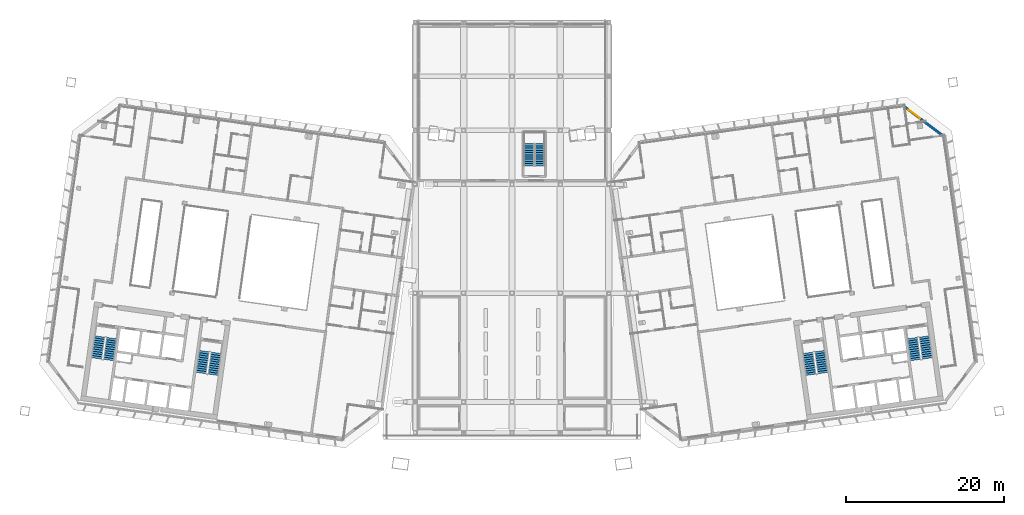
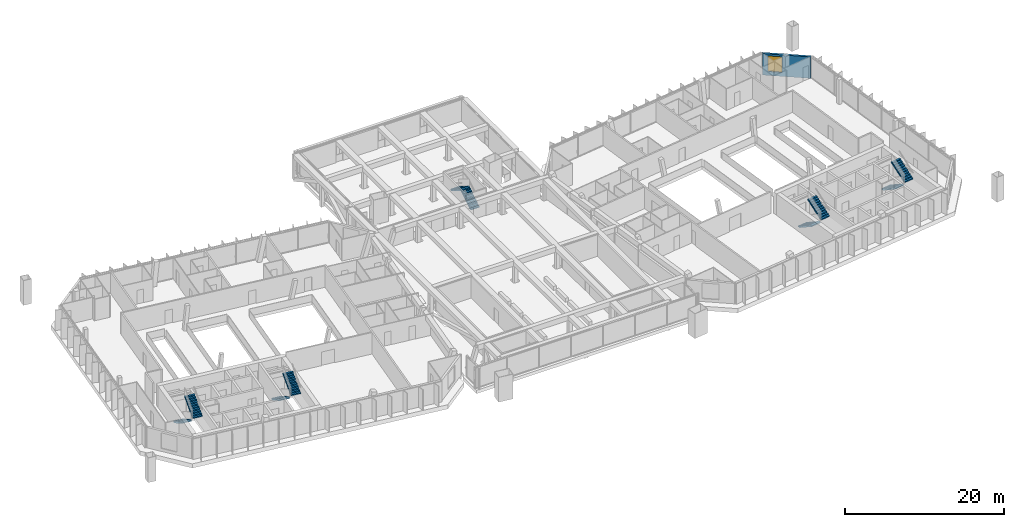
# One storey, part 21 of 25: 10 stair flights, 1 wall, 1 window, 1 opening, 5 elements without a shape of their own.
"""IFC4 building model written with IfcOpenShell, lengths in metres."""

from ifc_helpers import new_model, si_unit, direction, frame, frame_2d, origin, place, context, subcontext, project, spatial, polyline, rectangle, outline, extrude, material, layer, layer_set, type_object, element, fill, aggregate, save


model = new_model("IFC4")

# Units and contexts
model_context = context("Model", 3, precision=1e-05, world=origin(), true_north=direction((0.0, 1.0)))
body_context = subcontext(model_context, "Body", "Model", "MODEL_VIEW")
ifc_project = project(units=[si_unit("LENGTHUNIT", "METRE"), si_unit("AREAUNIT", "SQUARE_METRE"), si_unit("VOLUMEUNIT", "CUBIC_METRE"), si_unit("PLANEANGLEUNIT", "RADIAN"), si_unit("MASSUNIT", "GRAM", prefix="KILO")], contexts=[model_context])

# Site, building, storey
site_placement = place(None, origin())
site = spatial("IfcSite", under=ifc_project, at=site_placement, CompositionType="ELEMENT")
building_placement = place(site_placement, origin())
building = spatial("IfcBuilding", under=site, at=building_placement, Name="Mirante Cascada Hotel Towers", CompositionType="ELEMENT")
storey_placement = place(building_placement, frame((0.0, 0.0, 266.0)))
storey = spatial("IfcBuildingStorey", under=building, at=storey_placement, Name="L64", CompositionType="ELEMENT", Elevation=266.0)

# Wall, opening, window
ifc_material_1 = material(Name="Precast concrete C40/50", Category="concrete")
ifc_layer = layer(ifc_material_1, 0.3)
ifc_layer_set = layer_set([ifc_layer], Name="Precast concrete C40/50 cladding wall 300")
wall_type = type_object("IfcWallType", Name="Precast concrete C40/50 cladding wall 300", PredefinedType="STANDARD", material=ifc_layer_set)
wall_placement = place(storey_placement, frame((54.5298, 16.0715, 0.0), z_axis=(0.0, 0.0, 1.0), x_axis=(-0.7986362, 0.6018141, 0.0)))
wall = element("IfcWall", 1, at=wall_placement, inside=storey, type_object=wall_type, Name="Corner cladding wall T2 L64 outer front", PredefinedType="STANDARD", context=body_context, shape_type="SweptSolid", body=[
    extrude(rectangle(XDim=6.1157, YDim=0.3, at=frame_2d((3.0578, 0.0))), origin(), (0.0, 0.0, 1.0), 3.3),
])
opening_placement = place(wall_placement, frame((3.6428, 0.0, 0.6)))
opening = element("IfcOpeningElement", 2, at=opening_placement, cuts=wall, Name="Opening W2-64-06", PredefinedType="OPENING", context=body_context, shape_type="SweptSolid", body=[
    extrude(rectangle(XDim=1.8, YDim=2.4, at=frame_2d((0.9, 1.2))), frame((0.0, 0.15, 0.0), z_axis=(0.0, -1.0, 0.0), x_axis=(1.0, 0.0, 0.0)), (0.0, 0.0, 1.0), 0.3),
])
ifc_material_2 = material(Name="Aluminium frame with clear double glazing", Category="aluminium")
window_type = type_object("IfcWindowType", Name="Corner suite window 1800x2400", PartitioningType="DOUBLE_PANEL_VERTICAL", PredefinedType="WINDOW", material=ifc_material_2)
window_placement = place(opening_placement, origin())
window = element("IfcWindow", 3, at=window_placement, inside=storey, type_object=window_type, Name="Window W2-64-06", OverallHeight=2.4, OverallWidth=1.8, PartitioningType="SINGLE_PANEL", PredefinedType="WINDOW", context=body_context, shape_type="SweptSolid", body=[
    extrude(rectangle(XDim=1.8, YDim=2.4, at=frame_2d((0.9, 1.2))), frame((0.0, 0.03, 0.0), z_axis=(0.0, -1.0, 0.0), x_axis=(1.0, 0.0, 0.0)), (0.0, 0.0, 1.0), 0.06),
])
fill(opening, window)

# Stair, stair flights
ifc_material_3 = material(Name="Concrete C35/45", Category="concrete")
stair_type_1 = type_object("IfcStairType", Name="Exit stair half-turn 1250 concrete C35/45", PredefinedType="HALF_TURN_STAIR", material=ifc_material_3)
stair_1_placement = place(storey_placement, origin())
stair_1 = element("IfcStair", 4, at=stair_1_placement, inside=storey, type_object=stair_type_1, Name="L64 Roof garden stair", PredefinedType="HALF_TURN_STAIR")
ifc_material_4 = material(Name="Concrete C35/45", Category="concrete")
stair_flight_type_1 = type_object("IfcStairFlightType", Name="Exit stair flight 1250 concrete C35/45", PredefinedType="STRAIGHT", material=ifc_material_4)
stair_flight_1_placement = place(storey_placement, frame((3.525, 12.26, 0.0), z_axis=(0.0, 0.0, 1.0), x_axis=(0.0, 1.0, 0.0)))
stair_flight_1 = element("IfcStairFlight", 5, at=stair_flight_1_placement, type_object=stair_flight_type_1, Name="ST-RG flight 1", NumberOfRisers=11, NumberOfTreads=10, PredefinedType="STRAIGHT", RiserHeight=0.172727273, TreadLength=0.28, context=body_context, shape_type="SweptSolid", body=[
    extrude(outline(polyline([(0.0, 0.0), (0.0, 0.1727), (0.28, 0.1727), (0.28, 0.3455), (0.56, 0.3455), (0.56, 0.5182), (0.84, 0.5182), (0.84, 0.6909), (1.12, 0.6909), (1.12, 0.8636), (1.4, 0.8636), (1.4, 1.0364), (1.68, 1.0364), (1.68, 1.2091), (1.96, 1.2091), (1.96, 1.3818), (2.24, 1.3818), (2.24, 1.5545), (2.52, 1.5545), (2.52, 1.7273), (2.8, 1.7273), (2.8, 1.9), (2.8, 1.551), (0.2857, 0.0), (0.0, 0.0)])), frame((0.0, 0.625, 0.0), z_axis=(0.0, -1.0, 0.0), x_axis=(1.0, 0.0, 0.0)), (0.0, 0.0, 1.0), 1.25),
])
stair_flight_2_placement = place(storey_placement, frame((2.125, 15.06, 1.9), z_axis=(0.0, 0.0, 1.0), x_axis=(0.0, -1.0, 0.0)))
stair_flight_2 = element("IfcStairFlight", 6, at=stair_flight_2_placement, type_object=stair_flight_type_1, Name="ST-RG flight 2", NumberOfRisers=11, NumberOfTreads=10, PredefinedType="STRAIGHT", RiserHeight=0.172727273, TreadLength=0.28, context=body_context, shape_type="SweptSolid", body=[
    extrude(outline(polyline([(0.0, 0.0), (0.0, 0.1727), (0.28, 0.1727), (0.28, 0.3455), (0.56, 0.3455), (0.56, 0.5182), (0.84, 0.5182), (0.84, 0.6909), (1.12, 0.6909), (1.12, 0.8636), (1.4, 0.8636), (1.4, 1.0364), (1.68, 1.0364), (1.68, 1.2091), (1.96, 1.2091), (1.96, 1.3818), (2.24, 1.3818), (2.24, 1.5545), (2.52, 1.5545), (2.52, 1.7273), (2.8, 1.7273), (2.8, 1.9), (2.8, 1.551), (0.2857, 0.0), (0.0, 0.0)])), frame((0.0, 0.625, 0.0), z_axis=(0.0, -1.0, 0.0), x_axis=(1.0, 0.0, 0.0)), (0.0, 0.0, 1.0), 1.25),
])
aggregate(stair_1, [stair_flight_1, stair_flight_2])

ifc_material_5 = material(Name="Concrete C35/45", Category="concrete")
stair_type_2 = type_object("IfcStairType", Name="Exit stair half-turn 1350 concrete C35/45", PredefinedType="HALF_TURN_STAIR", material=ifc_material_5)
stair_2_placement = place(storey_placement, origin())
stair_2 = element("IfcStair", 7, at=stair_2_placement, inside=storey, type_object=stair_type_2, Name="L64 Exit stair A", PredefinedType="HALF_TURN_STAIR")
ifc_material_6 = material(Name="Concrete C35/45", Category="concrete")
stair_flight_type_2 = type_object("IfcStairFlightType", Name="Exit stair flight 1350 concrete C35/45", PredefinedType="STRAIGHT", material=ifc_material_6)
stair_flight_3_placement = place(storey_placement, frame((-38.9417, -11.195, 0.0), z_axis=(0.0, 0.0, 1.0), x_axis=(-0.1391731, -0.9902681, 0.0)))
stair_flight_3 = element("IfcStairFlight", 8, at=stair_flight_3_placement, type_object=stair_flight_type_2, Name="ST1-A flight 1", NumberOfRisers=11, NumberOfTreads=10, PredefinedType="STRAIGHT", RiserHeight=0.172727273, TreadLength=0.28, context=body_context, shape_type="SweptSolid", body=[
    extrude(outline(polyline([(0.0, 0.0), (0.0, 0.1727), (0.28, 0.1727), (0.28, 0.3455), (0.56, 0.3455), (0.56, 0.5182), (0.84, 0.5182), (0.84, 0.6909), (1.12, 0.6909), (1.12, 0.8636), (1.4, 0.8636), (1.4, 1.0364), (1.68, 1.0364), (1.68, 1.2091), (1.96, 1.2091), (1.96, 1.3818), (2.24, 1.3818), (2.24, 1.5545), (2.52, 1.5545), (2.52, 1.7273), (2.8, 1.7273), (2.8, 1.9), (2.8, 1.551), (0.2857, 0.0), (0.0, 0.0)])), frame((0.0, 0.675, 0.0), z_axis=(0.0, -1.0, 0.0), x_axis=(1.0, 0.0, 0.0)), (0.0, 0.0, 1.0), 1.35),
])
stair_flight_4_placement = place(storey_placement, frame((-37.846, -14.1765, 1.9), z_axis=(0.0, 0.0, 1.0), x_axis=(0.1391731, 0.9902681, 0.0)))
stair_flight_4 = element("IfcStairFlight", 9, at=stair_flight_4_placement, type_object=stair_flight_type_2, Name="ST1-A flight 2", NumberOfRisers=11, NumberOfTreads=10, PredefinedType="STRAIGHT", RiserHeight=0.172727273, TreadLength=0.28, context=body_context, shape_type="SweptSolid", body=[
    extrude(outline(polyline([(0.0, 0.0), (0.0, 0.1727), (0.28, 0.1727), (0.28, 0.3455), (0.56, 0.3455), (0.56, 0.5182), (0.84, 0.5182), (0.84, 0.6909), (1.12, 0.6909), (1.12, 0.8636), (1.4, 0.8636), (1.4, 1.0364), (1.68, 1.0364), (1.68, 1.2091), (1.96, 1.2091), (1.96, 1.3818), (2.24, 1.3818), (2.24, 1.5545), (2.52, 1.5545), (2.52, 1.7273), (2.8, 1.7273), (2.8, 1.9), (2.8, 1.551), (0.2857, 0.0), (0.0, 0.0)])), frame((0.0, 0.675, 0.0), z_axis=(0.0, -1.0, 0.0), x_axis=(1.0, 0.0, 0.0)), (0.0, 0.0, 1.0), 1.35),
])
aggregate(stair_2, [stair_flight_3, stair_flight_4])

stair_3_placement = place(storey_placement, origin())
stair_3 = element("IfcStair", 10, at=stair_3_placement, inside=storey, type_object=stair_type_2, Name="L64 Exit stair B", PredefinedType="HALF_TURN_STAIR")
stair_flight_5_placement = place(storey_placement, frame((-52.1618, -9.3371, 0.0), z_axis=(0.0, 0.0, 1.0), x_axis=(-0.1391731, -0.9902681, 0.0)))
stair_flight_5 = element("IfcStairFlight", 11, at=stair_flight_5_placement, type_object=stair_flight_type_2, Name="ST1-B flight 1", NumberOfRisers=11, NumberOfTreads=10, PredefinedType="STRAIGHT", RiserHeight=0.172727273, TreadLength=0.28, context=body_context, shape_type="SweptSolid", body=[
    extrude(outline(polyline([(0.0, 0.0), (0.0, 0.1727), (0.28, 0.1727), (0.28, 0.3455), (0.56, 0.3455), (0.56, 0.5182), (0.84, 0.5182), (0.84, 0.6909), (1.12, 0.6909), (1.12, 0.8636), (1.4, 0.8636), (1.4, 1.0364), (1.68, 1.0364), (1.68, 1.2091), (1.96, 1.2091), (1.96, 1.3818), (2.24, 1.3818), (2.24, 1.5545), (2.52, 1.5545), (2.52, 1.7273), (2.8, 1.7273), (2.8, 1.9), (2.8, 1.551), (0.2857, 0.0), (0.0, 0.0)])), frame((0.0, 0.675, 0.0), z_axis=(0.0, -1.0, 0.0), x_axis=(1.0, 0.0, 0.0)), (0.0, 0.0, 1.0), 1.35),
])
stair_flight_6_placement = place(storey_placement, frame((-51.0661, -12.3186, 1.9), z_axis=(0.0, 0.0, 1.0), x_axis=(0.1391731, 0.9902681, 0.0)))
stair_flight_6 = element("IfcStairFlight", 12, at=stair_flight_6_placement, type_object=stair_flight_type_2, Name="ST1-B flight 2", NumberOfRisers=11, NumberOfTreads=10, PredefinedType="STRAIGHT", RiserHeight=0.172727273, TreadLength=0.28, context=body_context, shape_type="SweptSolid", body=[
    extrude(outline(polyline([(0.0, 0.0), (0.0, 0.1727), (0.28, 0.1727), (0.28, 0.3455), (0.56, 0.3455), (0.56, 0.5182), (0.84, 0.5182), (0.84, 0.6909), (1.12, 0.6909), (1.12, 0.8636), (1.4, 0.8636), (1.4, 1.0364), (1.68, 1.0364), (1.68, 1.2091), (1.96, 1.2091), (1.96, 1.3818), (2.24, 1.3818), (2.24, 1.5545), (2.52, 1.5545), (2.52, 1.7273), (2.8, 1.7273), (2.8, 1.9), (2.8, 1.551), (0.2857, 0.0), (0.0, 0.0)])), frame((0.0, 0.675, 0.0), z_axis=(0.0, -1.0, 0.0), x_axis=(1.0, 0.0, 0.0)), (0.0, 0.0, 1.0), 1.35),
])
aggregate(stair_3, [stair_flight_5, stair_flight_6])

stair_4_placement = place(storey_placement, origin())
stair_4 = element("IfcStair", 13, at=stair_4_placement, inside=storey, type_object=stair_type_2, Name="L64 Exit stair A", PredefinedType="HALF_TURN_STAIR")
stair_flight_7_placement = place(storey_placement, frame((37.4563, -11.4038, 0.0), z_axis=(0.0, 0.0, 1.0), x_axis=(0.1391731, -0.9902681, 0.0)))
stair_flight_7 = element("IfcStairFlight", 14, at=stair_flight_7_placement, type_object=stair_flight_type_2, Name="ST2-A flight 1", NumberOfRisers=11, NumberOfTreads=10, PredefinedType="STRAIGHT", RiserHeight=0.172727273, TreadLength=0.28, context=body_context, shape_type="SweptSolid", body=[
    extrude(outline(polyline([(0.0, 0.0), (0.0, 0.1727), (0.28, 0.1727), (0.28, 0.3455), (0.56, 0.3455), (0.56, 0.5182), (0.84, 0.5182), (0.84, 0.6909), (1.12, 0.6909), (1.12, 0.8636), (1.4, 0.8636), (1.4, 1.0364), (1.68, 1.0364), (1.68, 1.2091), (1.96, 1.2091), (1.96, 1.3818), (2.24, 1.3818), (2.24, 1.5545), (2.52, 1.5545), (2.52, 1.7273), (2.8, 1.7273), (2.8, 1.9), (2.8, 1.551), (0.2857, 0.0), (0.0, 0.0)])), frame((0.0, 0.675, 0.0), z_axis=(0.0, -1.0, 0.0), x_axis=(1.0, 0.0, 0.0)), (0.0, 0.0, 1.0), 1.35),
])
stair_flight_8_placement = place(storey_placement, frame((39.3314, -13.9678, 1.9), z_axis=(0.0, 0.0, 1.0), x_axis=(-0.1391731, 0.9902681, 0.0)))
stair_flight_8 = element("IfcStairFlight", 15, at=stair_flight_8_placement, type_object=stair_flight_type_2, Name="ST2-A flight 2", NumberOfRisers=11, NumberOfTreads=10, PredefinedType="STRAIGHT", RiserHeight=0.172727273, TreadLength=0.28, context=body_context, shape_type="SweptSolid", body=[
    extrude(outline(polyline([(0.0, 0.0), (0.0, 0.1727), (0.28, 0.1727), (0.28, 0.3455), (0.56, 0.3455), (0.56, 0.5182), (0.84, 0.5182), (0.84, 0.6909), (1.12, 0.6909), (1.12, 0.8636), (1.4, 0.8636), (1.4, 1.0364), (1.68, 1.0364), (1.68, 1.2091), (1.96, 1.2091), (1.96, 1.3818), (2.24, 1.3818), (2.24, 1.5545), (2.52, 1.5545), (2.52, 1.7273), (2.8, 1.7273), (2.8, 1.9), (2.8, 1.551), (0.2857, 0.0), (0.0, 0.0)])), frame((0.0, 0.675, 0.0), z_axis=(0.0, -1.0, 0.0), x_axis=(1.0, 0.0, 0.0)), (0.0, 0.0, 1.0), 1.35),
])
aggregate(stair_4, [stair_flight_7, stair_flight_8])

stair_5_placement = place(storey_placement, origin())
stair_5 = element("IfcStair", 16, at=stair_5_placement, inside=storey, type_object=stair_type_2, Name="L64 Exit stair B", PredefinedType="HALF_TURN_STAIR")
stair_flight_9_placement = place(storey_placement, frame((50.6764, -9.5458, 0.0), z_axis=(0.0, 0.0, 1.0), x_axis=(0.1391731, -0.9902681, 0.0)))
stair_flight_9 = element("IfcStairFlight", 17, at=stair_flight_9_placement, type_object=stair_flight_type_2, Name="ST2-B flight 1", NumberOfRisers=11, NumberOfTreads=10, PredefinedType="STRAIGHT", RiserHeight=0.172727273, TreadLength=0.28, context=body_context, shape_type="SweptSolid", body=[
    extrude(outline(polyline([(0.0, 0.0), (0.0, 0.1727), (0.28, 0.1727), (0.28, 0.3455), (0.56, 0.3455), (0.56, 0.5182), (0.84, 0.5182), (0.84, 0.6909), (1.12, 0.6909), (1.12, 0.8636), (1.4, 0.8636), (1.4, 1.0364), (1.68, 1.0364), (1.68, 1.2091), (1.96, 1.2091), (1.96, 1.3818), (2.24, 1.3818), (2.24, 1.5545), (2.52, 1.5545), (2.52, 1.7273), (2.8, 1.7273), (2.8, 1.9), (2.8, 1.551), (0.2857, 0.0), (0.0, 0.0)])), frame((0.0, 0.675, 0.0), z_axis=(0.0, -1.0, 0.0), x_axis=(1.0, 0.0, 0.0)), (0.0, 0.0, 1.0), 1.35),
])
stair_flight_10_placement = place(storey_placement, frame((52.5515, -12.1098, 1.9), z_axis=(0.0, 0.0, 1.0), x_axis=(-0.1391731, 0.9902681, 0.0)))
stair_flight_10 = element("IfcStairFlight", 18, at=stair_flight_10_placement, type_object=stair_flight_type_2, Name="ST2-B flight 2", NumberOfRisers=11, NumberOfTreads=10, PredefinedType="STRAIGHT", RiserHeight=0.172727273, TreadLength=0.28, context=body_context, shape_type="SweptSolid", body=[
    extrude(outline(polyline([(0.0, 0.0), (0.0, 0.1727), (0.28, 0.1727), (0.28, 0.3455), (0.56, 0.3455), (0.56, 0.5182), (0.84, 0.5182), (0.84, 0.6909), (1.12, 0.6909), (1.12, 0.8636), (1.4, 0.8636), (1.4, 1.0364), (1.68, 1.0364), (1.68, 1.2091), (1.96, 1.2091), (1.96, 1.3818), (2.24, 1.3818), (2.24, 1.5545), (2.52, 1.5545), (2.52, 1.7273), (2.8, 1.7273), (2.8, 1.9), (2.8, 1.551), (0.2857, 0.0), (0.0, 0.0)])), frame((0.0, 0.675, 0.0), z_axis=(0.0, -1.0, 0.0), x_axis=(1.0, 0.0, 0.0)), (0.0, 0.0, 1.0), 1.35),
])
aggregate(stair_5, [stair_flight_9, stair_flight_10])

save(model, "model.ifc")
